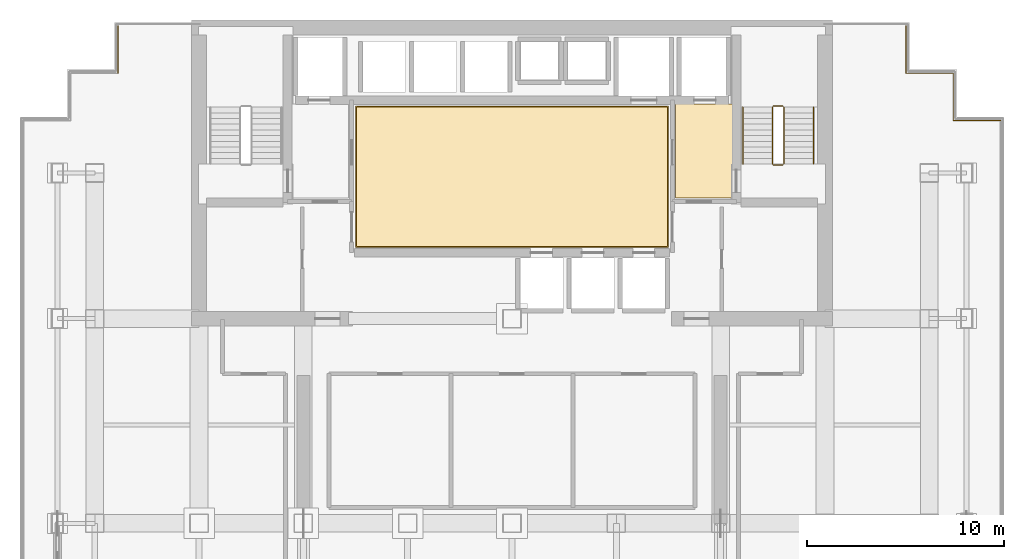
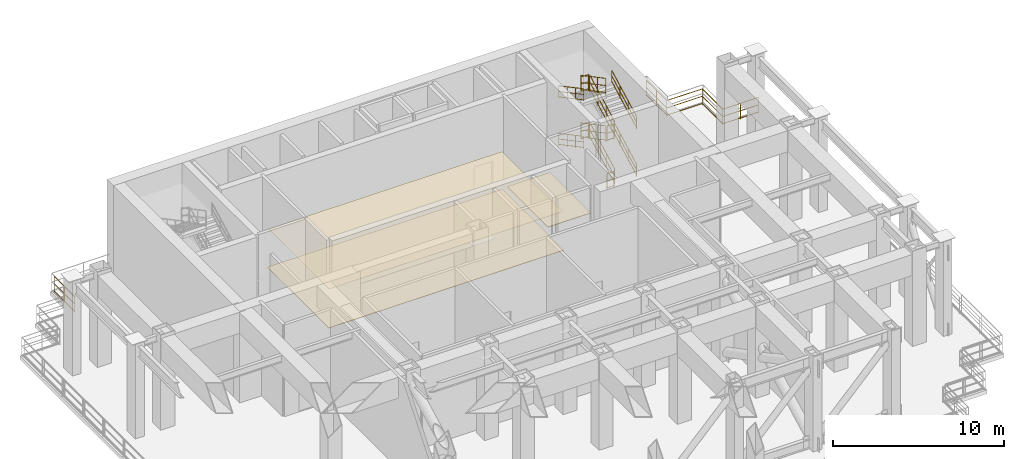
# One storey, part 8 of 8: 17 railings, 3 coverings.
"""IFC4 building model written with IfcOpenShell, lengths in metres."""

from ifc_helpers import new_model, si_unit, direction, frame, origin, origin_2d, place, context, subcontext, project, spatial, polyline, circle, outline, extrude, material, layer, layer_set, type_object, element, save


model = new_model("IFC4")

# Units and contexts
model_context = context("Model", 3, precision=1e-05, world=origin(), true_north=direction((0.0, 1.0)))
body_context = subcontext(model_context, "Body", "Model", "MODEL_VIEW")
ifc_project = project(units=[si_unit("LENGTHUNIT", "METRE"), si_unit("AREAUNIT", "SQUARE_METRE"), si_unit("VOLUMEUNIT", "CUBIC_METRE"), si_unit("PLANEANGLEUNIT", "RADIAN"), si_unit("MASSUNIT", "GRAM", prefix="KILO")], contexts=[model_context])

# Site, building, storey
site_placement = place(None, origin())
site = spatial("IfcSite", under=ifc_project, at=site_placement, CompositionType="ELEMENT")
building_placement = place(site_placement, origin())
building = spatial("IfcBuilding", under=site, at=building_placement, Name="Qianlan Lanfeng Residences", CompositionType="ELEMENT")
storey_placement = place(building_placement, frame((0.0, 0.0, 127.89990234375)))
storey = spatial("IfcBuildingStorey", under=building, at=storey_placement, Name="L35", CompositionType="ELEMENT", Elevation=127.89990234375)

# Coverings
ifc_material_1 = material(Name="Acoustic Perforated Gypsum Ceiling Board")
ifc_layer_1 = layer(ifc_material_1, 0.02001953125)
ifc_layer_set_1 = layer_set([ifc_layer_1], Name="Acoustic Perforated Gypsum Ceiling Board")
covering_type_1 = type_object("IfcCoveringType", Name="CLG-GYP-15", PredefinedType="CEILING", material=ifc_layer_set_1)
covering_1_placement = place(storey_placement, frame((0.0, 0.0, 2.75)))
element("IfcCovering", 1, at=covering_1_placement, inside=storey, type_object=covering_type_1, Name="L35 Lift Lobby Suspended Ceiling", PredefinedType="CEILING", context=body_context, shape_type="SweptSolid", body=[
    extrude(outline(polyline([(18.60009765625, 28.8701171875), (34.39990234375, 28.8701171875), (34.39990234375, 35.9599609375), (18.60009765625, 35.9599609375), (18.60009765625, 28.8701171875)])), origin(), (0.0, 0.0, 1.0), 0.02001953125),
])
ifc_material_2 = material(Name="Honed Taitung Granite Stone Flooring", Category="masonry")
ifc_layer_2 = layer(ifc_material_2, 0.030029296875)
ifc_layer_set_2 = layer_set([ifc_layer_2], Name="Honed Taitung Granite Stone Flooring")
covering_type_2 = type_object("IfcCoveringType", Name="FLR-STN-30", PredefinedType="FLOORING", material=ifc_layer_set_2)
covering_2_placement = place(storey_placement, origin())
element("IfcCovering", 2, at=covering_2_placement, inside=storey, type_object=covering_type_2, Name="L35 Firefighting Lift Lobby Floor Finish", PredefinedType="FLOORING", context=body_context, shape_type="SweptSolid", body=[
    extrude(outline(polyline([(34.820068359375, 31.320068359375), (37.7099609375, 31.320068359375), (37.7099609375, 36.110107421875), (34.820068359375, 36.110107421875), (34.820068359375, 31.320068359375)])), origin(), (0.0, 0.0, 1.0), 0.030029296875),
])
covering_3_placement = place(storey_placement, origin())
element("IfcCovering", 3, at=covering_3_placement, inside=storey, type_object=covering_type_2, Name="L35 Lift Lobby Floor Finish", PredefinedType="FLOORING", context=body_context, shape_type="SweptSolid", body=[
    extrude(outline(polyline([(18.550048828125, 28.820068359375), (34.449951171875, 28.820068359375), (34.449951171875, 36.010009765625), (18.550048828125, 36.010009765625), (18.550048828125, 28.820068359375)])), origin(), (0.0, 0.0, 1.0), 0.030029296875),
])

# Railings
ifc_material_3 = material(Name="Painted Galvanised Steel Guardrail", Category="steel")
railing_type_1 = type_object("IfcRailingType", Name="GR-ST-1120", PredefinedType="GUARDRAIL", material=ifc_material_3)
railing_1_placement = place(storey_placement, frame((40.31005859375, 33.050048828125, 0.154541015625)))
element("IfcRailing", 4, at=railing_1_placement, inside=storey, type_object=railing_type_1, Name="L35 ST-2 stair guard 1", PredefinedType="GUARDRAIL", context=body_context, shape_type="SweptSolid", body=[
    extrude(circle(Radius=0.02392578125, at=origin_2d()), frame((0.0, 0.0, 0.083984375), z_axis=(0.0, 0.882474251534, 0.470360707734), x_axis=(-1.0, 0.0, 0.0)), (0.0, 0.0, 1.0), 3.2861328125),
    extrude(circle(Radius=0.02392578125, at=origin_2d()), frame((0.0, 0.0, 0.58251953125), z_axis=(0.0, 0.882474251534, 0.470360707734), x_axis=(-1.0, 0.0, 0.0)), (0.0, 0.0, 1.0), 3.2861328125),
    extrude(circle(Radius=0.02392578125, at=origin_2d()), frame((0.0, 0.0, 1.09619140625), z_axis=(0.0, 0.882474251534, 0.470360707734), x_axis=(-1.0, 0.0, 0.0)), (0.0, 0.0, 1.0), 3.2861328125),
    extrude(circle(Radius=0.02099609375, at=origin_2d()), origin(), (0.0, 0.0, 1.0), 1.072021484375),
    extrude(circle(Radius=0.02099609375, at=origin_2d()), frame((0.0, 0.966552734375, 0.51513671875)), (0.0, 0.0, 1.0), 1.072021484375),
    extrude(circle(Radius=0.02099609375, at=origin_2d()), frame((0.0, 1.933349609375, 1.030517578125)), (0.0, 0.0, 1.0), 1.072021484375),
    extrude(circle(Radius=0.02099609375, at=origin_2d()), frame((0.0, 2.89990234375, 1.545654296875)), (0.0, 0.0, 1.0), 1.072021484375),
])
railing_2_placement = place(storey_placement, frame((40.260009765625, 36.0, 1.7001953125)))
element("IfcRailing", 5, at=railing_2_placement, inside=storey, type_object=railing_type_1, Name="L35 ST-2 stair guard 2", PredefinedType="GUARDRAIL", context=body_context, shape_type="SweptSolid", body=[
    extrude(circle(Radius=0.02392578125, at=origin_2d()), frame((0.0, 0.0, 0.083984375), z_axis=(-1.0, 0.0, 0.0), x_axis=(0.0, -1.0, 0.0)), (0.0, 0.0, 1.0), 0.47998046875),
    extrude(circle(Radius=0.02392578125, at=origin_2d()), frame((0.0, 0.0, 0.58251953125), z_axis=(-1.0, 0.0, 0.0), x_axis=(0.0, -1.0, 0.0)), (0.0, 0.0, 1.0), 0.47998046875),
    extrude(circle(Radius=0.02392578125, at=origin_2d()), frame((0.0, 0.0, 1.09619140625), z_axis=(-1.0, 0.0, 0.0), x_axis=(0.0, -1.0, 0.0)), (0.0, 0.0, 1.0), 0.47998046875),
    extrude(circle(Radius=0.02099609375, at=origin_2d()), origin(), (0.0, 0.0, 1.0), 1.072021484375),
    extrude(circle(Radius=0.02099609375, at=origin_2d()), frame((-0.47998046875, 0.0, 0.0)), (0.0, 0.0, 1.0), 1.072021484375),
])
railing_3_placement = place(storey_placement, frame((39.72998046875, 35.949951171875, 1.854736328125)))
element("IfcRailing", 6, at=railing_3_placement, inside=storey, type_object=railing_type_1, Name="L35 ST-2 stair guard 3", PredefinedType="GUARDRAIL", context=body_context, shape_type="SweptSolid", body=[
    extrude(circle(Radius=0.02392578125, at=origin_2d()), frame((0.0, 0.0, 0.083984375), z_axis=(0.0, -0.882505089112, 0.470302846782), x_axis=(1.0, 0.0, 0.0)), (0.0, 0.0, 1.0), 3.285888671875),
    extrude(circle(Radius=0.02392578125, at=origin_2d()), frame((0.0, 0.0, 0.58251953125), z_axis=(0.0, -0.882505089112, 0.470302846782), x_axis=(1.0, 0.0, 0.0)), (0.0, 0.0, 1.0), 3.285888671875),
    extrude(circle(Radius=0.02392578125, at=origin_2d()), frame((0.0, 0.0, 1.09619140625), z_axis=(0.0, -0.882505089112, 0.470302846782), x_axis=(1.0, 0.0, 0.0)), (0.0, 0.0, 1.0), 3.285888671875),
    extrude(circle(Radius=0.02099609375, at=origin_2d()), origin(), (0.0, 0.0, 1.0), 1.072021484375),
    extrude(circle(Radius=0.02099609375, at=origin_2d()), frame((0.0, -0.966552734375, 0.51513671875)), (0.0, 0.0, 1.0), 1.072021484375),
    extrude(circle(Radius=0.02099609375, at=origin_2d()), frame((0.0, -1.933349609375, 1.0302734375)), (0.0, 0.0, 1.0), 1.072021484375),
    extrude(circle(Radius=0.02099609375, at=origin_2d()), frame((0.0, -2.89990234375, 1.54541015625)), (0.0, 0.0, 1.0), 1.072021484375),
])
railing_4_placement = place(storey_placement, frame((40.260009765625, 33.0, 3.400146484375)))
element("IfcRailing", 7, at=railing_4_placement, inside=storey, type_object=railing_type_1, Name="L35 ST-2 stair guard 4", PredefinedType="GUARDRAIL", context=body_context, shape_type="SweptSolid", body=[
    extrude(circle(Radius=0.02392578125, at=origin_2d()), frame((0.0, 0.0, 0.083984375), z_axis=(-1.0, 0.0, 0.0), x_axis=(0.0, -1.0, 0.0)), (0.0, 0.0, 1.0), 0.47998046875),
    extrude(circle(Radius=0.02392578125, at=origin_2d()), frame((0.0, 0.0, 0.58251953125), z_axis=(-1.0, 0.0, 0.0), x_axis=(0.0, -1.0, 0.0)), (0.0, 0.0, 1.0), 0.47998046875),
    extrude(circle(Radius=0.02392578125, at=origin_2d()), frame((0.0, 0.0, 1.09619140625), z_axis=(-1.0, 0.0, 0.0), x_axis=(0.0, -1.0, 0.0)), (0.0, 0.0, 1.0), 0.47998046875),
    extrude(circle(Radius=0.02099609375, at=origin_2d()), origin(), (0.0, 0.0, 1.0), 1.072021484375),
    extrude(circle(Radius=0.02099609375, at=origin_2d()), frame((-0.47998046875, 0.0, 0.0)), (0.0, 0.0, 1.0), 1.072021484375),
])
railing_5_placement = place(storey_placement, frame((40.31005859375, 33.050048828125, 3.5546875)))
element("IfcRailing", 8, at=railing_5_placement, inside=storey, type_object=railing_type_1, Name="L35 ST-2 stair guard 5", PredefinedType="GUARDRAIL", context=body_context, shape_type="SweptSolid", body=[
    extrude(circle(Radius=0.02392578125, at=origin_2d()), frame((0.0, 0.0, 0.083984375), z_axis=(0.0, 0.882505089112, 0.470302846782), x_axis=(-1.0, 0.0, 0.0)), (0.0, 0.0, 1.0), 3.285888671875),
    extrude(circle(Radius=0.02392578125, at=origin_2d()), frame((0.0, 0.0, 0.58251953125), z_axis=(0.0, 0.882505089112, 0.470302846782), x_axis=(-1.0, 0.0, 0.0)), (0.0, 0.0, 1.0), 3.285888671875),
    extrude(circle(Radius=0.02392578125, at=origin_2d()), frame((0.0, 0.0, 1.09619140625), z_axis=(0.0, 0.882505089112, 0.470302846782), x_axis=(-1.0, 0.0, 0.0)), (0.0, 0.0, 1.0), 3.285888671875),
    extrude(circle(Radius=0.02099609375, at=origin_2d()), origin(), (0.0, 0.0, 1.0), 1.072021484375),
    extrude(circle(Radius=0.02099609375, at=origin_2d()), frame((0.0, 0.966552734375, 0.51513671875)), (0.0, 0.0, 1.0), 1.072021484375),
    extrude(circle(Radius=0.02099609375, at=origin_2d()), frame((0.0, 1.933349609375, 1.0302734375)), (0.0, 0.0, 1.0), 1.072021484375),
    extrude(circle(Radius=0.02099609375, at=origin_2d()), frame((0.0, 2.89990234375, 1.54541015625)), (0.0, 0.0, 1.0), 1.072021484375),
])
railing_6_placement = place(storey_placement, frame((40.260009765625, 36.0, 5.10009765625)))
element("IfcRailing", 9, at=railing_6_placement, inside=storey, type_object=railing_type_1, Name="L35 ST-2 stair guard 6", PredefinedType="GUARDRAIL", context=body_context, shape_type="SweptSolid", body=[
    extrude(circle(Radius=0.02392578125, at=origin_2d()), frame((0.0, 0.0, 0.083984375), z_axis=(-1.0, 0.0, 0.0), x_axis=(0.0, -1.0, 0.0)), (0.0, 0.0, 1.0), 0.47998046875),
    extrude(circle(Radius=0.02392578125, at=origin_2d()), frame((0.0, 0.0, 0.58251953125), z_axis=(-1.0, 0.0, 0.0), x_axis=(0.0, -1.0, 0.0)), (0.0, 0.0, 1.0), 0.47998046875),
    extrude(circle(Radius=0.02392578125, at=origin_2d()), frame((0.0, 0.0, 1.09619140625), z_axis=(-1.0, 0.0, 0.0), x_axis=(0.0, -1.0, 0.0)), (0.0, 0.0, 1.0), 0.47998046875),
    extrude(circle(Radius=0.02099609375, at=origin_2d()), origin(), (0.0, 0.0, 1.0), 1.072021484375),
    extrude(circle(Radius=0.02099609375, at=origin_2d()), frame((-0.47998046875, 0.0, 0.0)), (0.0, 0.0, 1.0), 1.072021484375),
])
railing_7_placement = place(storey_placement, frame((39.72998046875, 35.949951171875, 5.254638671875)))
element("IfcRailing", 10, at=railing_7_placement, inside=storey, type_object=railing_type_1, Name="L35 ST-2 stair guard 7", PredefinedType="GUARDRAIL", context=body_context, shape_type="SweptSolid", body=[
    extrude(circle(Radius=0.02392578125, at=origin_2d()), frame((0.0, 0.0, 0.083984375), z_axis=(0.0, -0.882505089112, 0.470302846782), x_axis=(1.0, 0.0, 0.0)), (0.0, 0.0, 1.0), 3.285888671875),
    extrude(circle(Radius=0.02392578125, at=origin_2d()), frame((0.0, 0.0, 0.58251953125), z_axis=(0.0, -0.882505089112, 0.470302846782), x_axis=(1.0, 0.0, 0.0)), (0.0, 0.0, 1.0), 3.285888671875),
    extrude(circle(Radius=0.02392578125, at=origin_2d()), frame((0.0, 0.0, 1.09619140625), z_axis=(0.0, -0.882505089112, 0.470302846782), x_axis=(1.0, 0.0, 0.0)), (0.0, 0.0, 1.0), 3.285888671875),
    extrude(circle(Radius=0.02099609375, at=origin_2d()), origin(), (0.0, 0.0, 1.0), 1.072021484375),
    extrude(circle(Radius=0.02099609375, at=origin_2d()), frame((0.0, -0.966552734375, 0.51513671875)), (0.0, 0.0, 1.0), 1.072021484375),
    extrude(circle(Radius=0.02099609375, at=origin_2d()), frame((0.0, -1.933349609375, 1.0302734375)), (0.0, 0.0, 1.0), 1.072021484375),
    extrude(circle(Radius=0.02099609375, at=origin_2d()), frame((0.0, -2.89990234375, 1.54541015625)), (0.0, 0.0, 1.0), 1.072021484375),
])
railing_8_placement = place(storey_placement, frame((40.260009765625, 33.0, 0.0)))
element("IfcRailing", 11, at=railing_8_placement, inside=storey, type_object=railing_type_1, Name="L35 ST-2 stair guard 8", PredefinedType="GUARDRAIL", context=body_context, shape_type="SweptSolid", body=[
    extrude(circle(Radius=0.02392578125, at=origin_2d()), frame((0.0, 0.0, 0.083984375), z_axis=(-1.0, 0.0, 0.0), x_axis=(0.0, -1.0, 0.0)), (0.0, 0.0, 1.0), 0.47998046875),
    extrude(circle(Radius=0.02392578125, at=origin_2d()), frame((0.0, 0.0, 0.58251953125), z_axis=(-1.0, 0.0, 0.0), x_axis=(0.0, -1.0, 0.0)), (0.0, 0.0, 1.0), 0.47998046875),
    extrude(circle(Radius=0.02392578125, at=origin_2d()), frame((0.0, 0.0, 1.09619140625), z_axis=(-1.0, 0.0, 0.0), x_axis=(0.0, -1.0, 0.0)), (0.0, 0.0, 1.0), 0.47998046875),
    extrude(circle(Radius=0.02099609375, at=origin_2d()), origin(), (0.0, 0.0, 1.0), 1.072021484375),
    extrude(circle(Radius=0.02099609375, at=origin_2d()), frame((-0.47998046875, 0.0, 0.0)), (0.0, 0.0, 1.0), 1.072021484375),
])
railing_9_placement = place(storey_placement, frame((6.47998046875, 37.669921875, 0.0)))
element("IfcRailing", 12, at=railing_9_placement, inside=storey, type_object=railing_type_1, Name="L35 Wind-Slot Open Perimeter Guardrail 5", PredefinedType="GUARDRAIL", context=body_context, shape_type="SweptSolid", body=[
    extrude(circle(Radius=0.02392578125, at=origin_2d()), frame((0.0, 0.0, 0.083984375), z_axis=(0.0, 1.0, 0.0), x_axis=(-1.0, 0.0, 0.0)), (0.0, 0.0, 1.0), 2.400146484375),
    extrude(circle(Radius=0.02392578125, at=origin_2d()), frame((0.0, 0.0, 0.597900390625), z_axis=(0.0, 1.0, 0.0), x_axis=(-1.0, 0.0, 0.0)), (0.0, 0.0, 1.0), 2.400146484375),
    extrude(circle(Radius=0.02392578125, at=origin_2d()), frame((0.0, 0.0, 1.1259765625), z_axis=(0.0, 1.0, 0.0), x_axis=(-1.0, 0.0, 0.0)), (0.0, 0.0, 1.0), 2.400146484375),
    extrude(circle(Radius=0.02099609375, at=origin_2d()), origin(), (0.0, 0.0, 1.0), 1.101806640625),
    extrude(circle(Radius=0.02099609375, at=origin_2d()), frame((0.0, 1.2001953125, 0.0)), (0.0, 0.0, 1.0), 1.101806640625),
    extrude(circle(Radius=0.02099609375, at=origin_2d()), frame((0.0, 2.400146484375, 0.0)), (0.0, 0.0, 1.0), 1.101806640625),
])
railing_10_placement = place(storey_placement, frame((46.52001953125, 40.070068359375, 0.0)))
element("IfcRailing", 13, at=railing_10_placement, inside=storey, type_object=railing_type_1, Name="L35 Wind-Slot Open Perimeter Guardrail 6", PredefinedType="GUARDRAIL", context=body_context, shape_type="SweptSolid", body=[
    extrude(circle(Radius=0.02392578125, at=origin_2d()), frame((0.0, 0.0, 0.083984375), z_axis=(0.0, -1.0, 0.0), x_axis=(1.0, 0.0, 0.0)), (0.0, 0.0, 1.0), 2.400146484375),
    extrude(circle(Radius=0.02392578125, at=origin_2d()), frame((0.0, 0.0, 0.597900390625), z_axis=(0.0, -1.0, 0.0), x_axis=(1.0, 0.0, 0.0)), (0.0, 0.0, 1.0), 2.400146484375),
    extrude(circle(Radius=0.02392578125, at=origin_2d()), frame((0.0, 0.0, 1.1259765625), z_axis=(0.0, -1.0, 0.0), x_axis=(1.0, 0.0, 0.0)), (0.0, 0.0, 1.0), 2.400146484375),
    extrude(circle(Radius=0.02099609375, at=origin_2d()), origin(), (0.0, 0.0, 1.0), 1.101806640625),
    extrude(circle(Radius=0.02099609375, at=origin_2d()), frame((0.0, -1.2001953125, 0.0)), (0.0, 0.0, 1.0), 1.101806640625),
    extrude(circle(Radius=0.02099609375, at=origin_2d()), frame((0.0, -2.400146484375, 0.0)), (0.0, 0.0, 1.0), 1.101806640625),
])
railing_11_placement = place(storey_placement, frame((46.52001953125, 37.669921875, 0.0)))
element("IfcRailing", 14, at=railing_11_placement, inside=storey, type_object=railing_type_1, Name="L35 Wind-Slot Open Perimeter Guardrail 7", PredefinedType="GUARDRAIL", context=body_context, shape_type="SweptSolid", body=[
    extrude(circle(Radius=0.02392578125, at=origin_2d()), frame((0.0, 0.0, 0.083984375), z_axis=(1.0, 0.0, 0.0), x_axis=(0.0, 1.0, 0.0)), (0.0, 0.0, 1.0), 2.39990234375),
    extrude(circle(Radius=0.02392578125, at=origin_2d()), frame((0.0, 0.0, 0.597900390625), z_axis=(1.0, 0.0, 0.0), x_axis=(0.0, 1.0, 0.0)), (0.0, 0.0, 1.0), 2.39990234375),
    extrude(circle(Radius=0.02392578125, at=origin_2d()), frame((0.0, 0.0, 1.1259765625), z_axis=(1.0, 0.0, 0.0), x_axis=(0.0, 1.0, 0.0)), (0.0, 0.0, 1.0), 2.39990234375),
    extrude(circle(Radius=0.02099609375, at=origin_2d()), origin(), (0.0, 0.0, 1.0), 1.101806640625),
    extrude(circle(Radius=0.02099609375, at=origin_2d()), frame((2.39990234375, 0.0, 0.0)), (0.0, 0.0, 1.0), 1.101806640625),
])
railing_12_placement = place(storey_placement, frame((48.919921875, 37.669921875, 0.0)))
element("IfcRailing", 15, at=railing_12_placement, inside=storey, type_object=railing_type_1, Name="L35 Wind-Slot Open Perimeter Guardrail 8", PredefinedType="GUARDRAIL", context=body_context, shape_type="SweptSolid", body=[
    extrude(circle(Radius=0.02392578125, at=origin_2d()), frame((0.0, 0.0, 0.083984375), z_axis=(0.0, -1.0, 0.0), x_axis=(1.0, 0.0, 0.0)), (0.0, 0.0, 1.0), 2.39990234375),
    extrude(circle(Radius=0.02392578125, at=origin_2d()), frame((0.0, 0.0, 0.597900390625), z_axis=(0.0, -1.0, 0.0), x_axis=(1.0, 0.0, 0.0)), (0.0, 0.0, 1.0), 2.39990234375),
    extrude(circle(Radius=0.02392578125, at=origin_2d()), frame((0.0, 0.0, 1.1259765625), z_axis=(0.0, -1.0, 0.0), x_axis=(1.0, 0.0, 0.0)), (0.0, 0.0, 1.0), 2.39990234375),
    extrude(circle(Radius=0.02099609375, at=origin_2d()), origin(), (0.0, 0.0, 1.0), 1.101806640625),
    extrude(circle(Radius=0.02099609375, at=origin_2d()), frame((0.0, -2.39990234375, 0.0)), (0.0, 0.0, 1.0), 1.101806640625),
])
railing_13_placement = place(storey_placement, frame((48.919921875, 35.27001953125, 0.0)))
element("IfcRailing", 16, at=railing_13_placement, inside=storey, type_object=railing_type_1, Name="L35 Wind-Slot Open Perimeter Guardrail 9", PredefinedType="GUARDRAIL", context=body_context, shape_type="SweptSolid", body=[
    extrude(circle(Radius=0.02392578125, at=origin_2d()), frame((0.0, 0.0, 0.083984375), z_axis=(1.0, 0.0, 0.0), x_axis=(0.0, 1.0, 0.0)), (0.0, 0.0, 1.0), 2.400146484375),
    extrude(circle(Radius=0.02392578125, at=origin_2d()), frame((0.0, 0.0, 0.597900390625), z_axis=(1.0, 0.0, 0.0), x_axis=(0.0, 1.0, 0.0)), (0.0, 0.0, 1.0), 2.400146484375),
    extrude(circle(Radius=0.02392578125, at=origin_2d()), frame((0.0, 0.0, 1.1259765625), z_axis=(1.0, 0.0, 0.0), x_axis=(0.0, 1.0, 0.0)), (0.0, 0.0, 1.0), 2.400146484375),
    extrude(circle(Radius=0.02099609375, at=origin_2d()), origin(), (0.0, 0.0, 1.0), 1.101806640625),
    extrude(circle(Radius=0.02099609375, at=origin_2d()), frame((1.2001953125, 0.0, 0.0)), (0.0, 0.0, 1.0), 1.101806640625),
    extrude(circle(Radius=0.02099609375, at=origin_2d()), frame((2.400146484375, 0.0, 0.0)), (0.0, 0.0, 1.0), 1.101806640625),
])
ifc_material_4 = material(Name="Brushed Stainless Steel Handrail", Category="steel")
railing_type_2 = type_object("IfcRailingType", Name="HR-ST-920", PredefinedType="HANDRAIL", material=ifc_material_4)
railing_14_placement = place(storey_placement, frame((41.81005859375, 33.050048828125, 0.154541015625)))
element("IfcRailing", 17, at=railing_14_placement, inside=storey, type_object=railing_type_2, Name="L35 ST-2 stair handrail 1", PredefinedType="HANDRAIL", context=body_context, shape_type="SweptSolid", body=[
    extrude(circle(Radius=0.02392578125, at=origin_2d()), frame((0.0, 0.0, 0.083984375), z_axis=(0.0, 0.882474251534, 0.470360707734), x_axis=(-1.0, 0.0, 0.0)), (0.0, 0.0, 1.0), 3.2861328125),
    extrude(circle(Radius=0.02392578125, at=origin_2d()), frame((0.0, 0.0, 0.468017578125), z_axis=(0.0, 0.882474251534, 0.470360707734), x_axis=(-1.0, 0.0, 0.0)), (0.0, 0.0, 1.0), 3.2861328125),
    extrude(circle(Radius=0.02392578125, at=origin_2d()), frame((0.0, 0.0, 0.8759765625), z_axis=(0.0, 0.882474251534, 0.470360707734), x_axis=(-1.0, 0.0, 0.0)), (0.0, 0.0, 1.0), 3.2861328125),
    extrude(circle(Radius=0.02099609375, at=origin_2d()), origin(), (0.0, 0.0, 1.0), 0.851806640625),
    extrude(circle(Radius=0.02099609375, at=origin_2d()), frame((0.0, 0.966552734375, 0.51513671875)), (0.0, 0.0, 1.0), 0.851806640625),
    extrude(circle(Radius=0.02099609375, at=origin_2d()), frame((0.0, 1.933349609375, 1.030517578125)), (0.0, 0.0, 1.0), 0.851806640625),
    extrude(circle(Radius=0.02099609375, at=origin_2d()), frame((0.0, 2.89990234375, 1.545654296875)), (0.0, 0.0, 1.0), 0.851806640625),
])
railing_15_placement = place(storey_placement, frame((38.22998046875, 35.949951171875, 1.854736328125)))
element("IfcRailing", 18, at=railing_15_placement, inside=storey, type_object=railing_type_2, Name="L35 ST-2 stair handrail 2", PredefinedType="HANDRAIL", context=body_context, shape_type="SweptSolid", body=[
    extrude(circle(Radius=0.02392578125, at=origin_2d()), frame((0.0, 0.0, 0.083984375), z_axis=(0.0, -0.882505089112, 0.470302846782), x_axis=(1.0, 0.0, 0.0)), (0.0, 0.0, 1.0), 3.285888671875),
    extrude(circle(Radius=0.02392578125, at=origin_2d()), frame((0.0, 0.0, 0.468017578125), z_axis=(0.0, -0.882505089112, 0.470302846782), x_axis=(1.0, 0.0, 0.0)), (0.0, 0.0, 1.0), 3.285888671875),
    extrude(circle(Radius=0.02392578125, at=origin_2d()), frame((0.0, 0.0, 0.8759765625), z_axis=(0.0, -0.882505089112, 0.470302846782), x_axis=(1.0, 0.0, 0.0)), (0.0, 0.0, 1.0), 3.285888671875),
    extrude(circle(Radius=0.02099609375, at=origin_2d()), origin(), (0.0, 0.0, 1.0), 0.851806640625),
    extrude(circle(Radius=0.02099609375, at=origin_2d()), frame((0.0, -0.966552734375, 0.51513671875)), (0.0, 0.0, 1.0), 0.851806640625),
    extrude(circle(Radius=0.02099609375, at=origin_2d()), frame((0.0, -1.933349609375, 1.0302734375)), (0.0, 0.0, 1.0), 0.851806640625),
    extrude(circle(Radius=0.02099609375, at=origin_2d()), frame((0.0, -2.89990234375, 1.54541015625)), (0.0, 0.0, 1.0), 0.851806640625),
])
railing_16_placement = place(storey_placement, frame((41.81005859375, 33.050048828125, 3.5546875)))
element("IfcRailing", 19, at=railing_16_placement, inside=storey, type_object=railing_type_2, Name="L35 ST-2 stair handrail 3", PredefinedType="HANDRAIL", context=body_context, shape_type="SweptSolid", body=[
    extrude(circle(Radius=0.02392578125, at=origin_2d()), frame((0.0, 0.0, 0.083984375), z_axis=(0.0, 0.882505089112, 0.470302846782), x_axis=(-1.0, 0.0, 0.0)), (0.0, 0.0, 1.0), 3.285888671875),
    extrude(circle(Radius=0.02392578125, at=origin_2d()), frame((0.0, 0.0, 0.468017578125), z_axis=(0.0, 0.882505089112, 0.470302846782), x_axis=(-1.0, 0.0, 0.0)), (0.0, 0.0, 1.0), 3.285888671875),
    extrude(circle(Radius=0.02392578125, at=origin_2d()), frame((0.0, 0.0, 0.8759765625), z_axis=(0.0, 0.882505089112, 0.470302846782), x_axis=(-1.0, 0.0, 0.0)), (0.0, 0.0, 1.0), 3.285888671875),
    extrude(circle(Radius=0.02099609375, at=origin_2d()), origin(), (0.0, 0.0, 1.0), 0.851806640625),
    extrude(circle(Radius=0.02099609375, at=origin_2d()), frame((0.0, 0.966552734375, 0.51513671875)), (0.0, 0.0, 1.0), 0.851806640625),
    extrude(circle(Radius=0.02099609375, at=origin_2d()), frame((0.0, 1.933349609375, 1.0302734375)), (0.0, 0.0, 1.0), 0.851806640625),
    extrude(circle(Radius=0.02099609375, at=origin_2d()), frame((0.0, 2.89990234375, 1.54541015625)), (0.0, 0.0, 1.0), 0.851806640625),
])
railing_17_placement = place(storey_placement, frame((38.22998046875, 35.949951171875, 5.254638671875)))
element("IfcRailing", 20, at=railing_17_placement, inside=storey, type_object=railing_type_2, Name="L35 ST-2 stair handrail 4", PredefinedType="HANDRAIL", context=body_context, shape_type="SweptSolid", body=[
    extrude(circle(Radius=0.02392578125, at=origin_2d()), frame((0.0, 0.0, 0.083984375), z_axis=(0.0, -0.882505089112, 0.470302846782), x_axis=(1.0, 0.0, 0.0)), (0.0, 0.0, 1.0), 3.285888671875),
    extrude(circle(Radius=0.02392578125, at=origin_2d()), frame((0.0, 0.0, 0.468017578125), z_axis=(0.0, -0.882505089112, 0.470302846782), x_axis=(1.0, 0.0, 0.0)), (0.0, 0.0, 1.0), 3.285888671875),
    extrude(circle(Radius=0.02392578125, at=origin_2d()), frame((0.0, 0.0, 0.8759765625), z_axis=(0.0, -0.882505089112, 0.470302846782), x_axis=(1.0, 0.0, 0.0)), (0.0, 0.0, 1.0), 3.285888671875),
    extrude(circle(Radius=0.02099609375, at=origin_2d()), origin(), (0.0, 0.0, 1.0), 0.851806640625),
    extrude(circle(Radius=0.02099609375, at=origin_2d()), frame((0.0, -0.966552734375, 0.51513671875)), (0.0, 0.0, 1.0), 0.851806640625),
    extrude(circle(Radius=0.02099609375, at=origin_2d()), frame((0.0, -1.933349609375, 1.0302734375)), (0.0, 0.0, 1.0), 0.851806640625),
    extrude(circle(Radius=0.02099609375, at=origin_2d()), frame((0.0, -2.89990234375, 1.54541015625)), (0.0, 0.0, 1.0), 0.851806640625),
])

save(model, "model.ifc")
